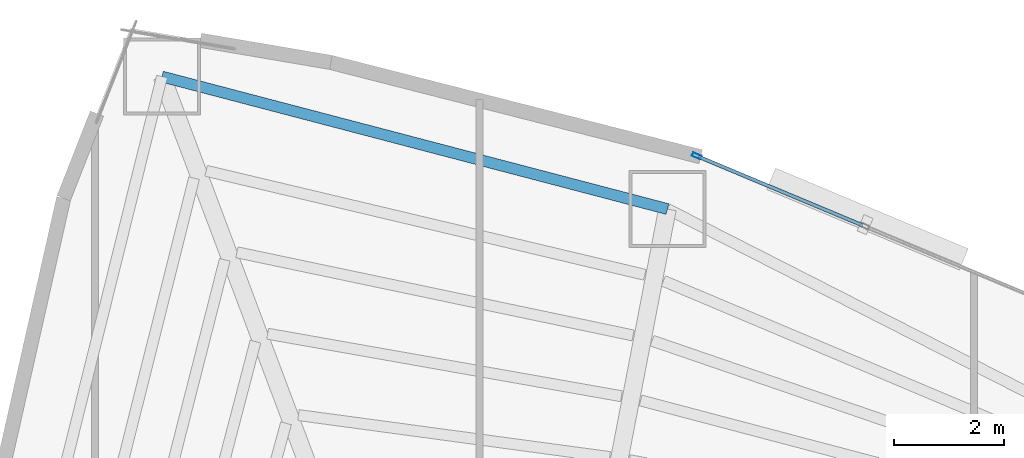
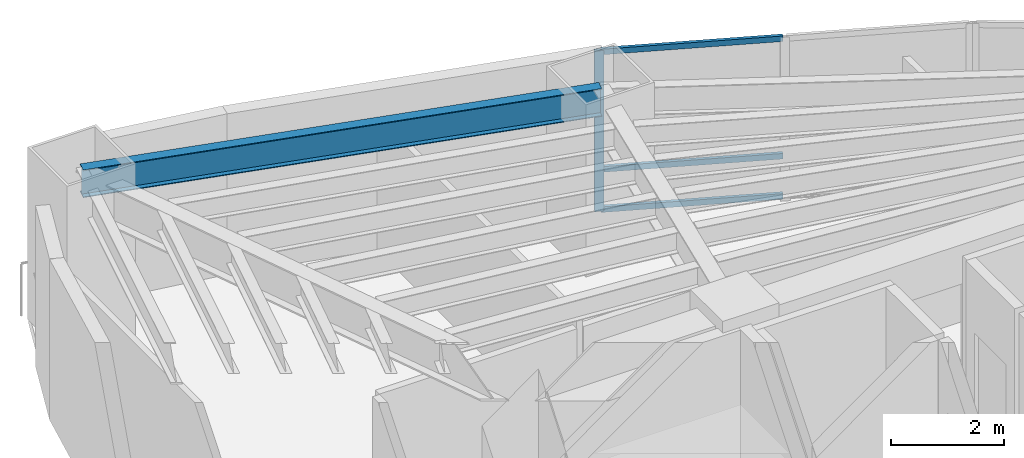
# One storey, part 9 of 17: 4 members, 1 beam, 1 element without a shape of its own.
"""IFC4 building model written with IfcOpenShell, lengths in metres."""

from ifc_helpers import new_model, si_unit, direction, frame, origin, origin_2d, place, context, subcontext, project, spatial, hollow_rectangle, i_section, extrude, material, layer, layer_set, material_profile, profile_set, type_object, element, aggregate, save


model = new_model("IFC4")

# Units and contexts
model_context = context("Model", 3, precision=1e-05, world=origin(), true_north=direction((0.0, 1.0)))
body_context = subcontext(model_context, "Body", "Model", "MODEL_VIEW")
ifc_project = project(units=[si_unit("LENGTHUNIT", "METRE"), si_unit("AREAUNIT", "SQUARE_METRE"), si_unit("VOLUMEUNIT", "CUBIC_METRE"), si_unit("PLANEANGLEUNIT", "RADIAN"), si_unit("MASSUNIT", "GRAM", prefix="KILO")], contexts=[model_context])

# Site, building, storey
site_placement = place(None, origin())
site = spatial("IfcSite", under=ifc_project, at=site_placement, CompositionType="ELEMENT")
building_placement = place(site_placement, origin())
building = spatial("IfcBuilding", under=site, at=building_placement, Name="Menara Vayukalpa", CompositionType="ELEMENT")
storey_placement = place(building_placement, frame((0.0, 0.0, 46.199951171875)))
storey = spatial("IfcBuildingStorey", under=building, at=storey_placement, Name="L10", CompositionType="ELEMENT", Elevation=46.199951171875)

# Beam
ifc_material_1 = material(Name="Steel S355", Category="steel")
ifc_material_profile_1 = material_profile(ifc_material_1, i_section(OverallWidth=0.199951171875, OverallDepth=0.60009765625, WebThickness=0.010986328125, FlangeThickness=0.01708984375, at=origin_2d()), Name="WF 600x200x11x17")
ifc_profile_set_1 = profile_set([ifc_material_profile_1], Name="Steel S355")
beam_type = type_object("IfcBeamType", Name="BM-SP1", PredefinedType="SPANDREL", material=ifc_profile_set_1)
beam_placement = place(storey_placement, frame((23.41943359375, 33.9228515625, 3.170166015625), z_axis=(-0.967331024421, 0.253516644802, 0.0), x_axis=(-0.253516644802, -0.967331024421, 0.0)))
element("IfcBeam", 1, at=beam_placement, inside=storey, type_object=beam_type, Name="L10 Perimeter Spandrel Beam SP03", PredefinedType="SPANDREL", context=body_context, shape_type="SweptSolid", body=[
    extrude(i_section(OverallWidth=0.199951171875, OverallDepth=0.60009765625, WebThickness=0.010986328125, FlangeThickness=0.01708984375, at=origin_2d()), origin(), (0.0, 0.0, 1.0), 9.5126953125),
])

# Curtain wall, members
ifc_material_2 = material(Name="Anodised Terracotta Aluminium Alloy 6063-T6", Category="masonry")
ifc_layer = layer(ifc_material_2, 0.1650390625)
ifc_layer_set = layer_set([ifc_layer], Name="Anodised Terracotta Aluminium Alloy 6063-T6")
curtain_wall_type = type_object("IfcCurtainWallType", Name="CW-CW2", PredefinedType="USERDEFINED", material=ifc_layer_set)
curtain_wall_placement = place(storey_placement, origin())
curtain_wall = element("IfcCurtainWall", 2, at=curtain_wall_placement, inside=storey, type_object=curtain_wall_type, Name="L10 Low Rise Terracotta Ribbon Curtain Wall CW2 05", ObjectType="UNITISED", PredefinedType="USERDEFINED")
ifc_material_3 = material(Name="Anodised Terracotta Aluminium Alloy 6063-T6", Category="masonry")
ifc_material_profile_2 = material_profile(ifc_material_3, hollow_rectangle(XDim=0.070068359375, YDim=0.1650390625, WallThickness=0.00390625, at=origin_2d()), Name="ALU 70x165x4")
ifc_profile_set_2 = profile_set([ifc_material_profile_2], Name="Anodised Terracotta Aluminium Alloy 6063-T6")
member_type_1 = type_object("IfcMemberType", Name="CWM-CW2", PredefinedType="MULLION", material=ifc_profile_set_2)
member_1_placement = place(storey_placement, frame((23.950927734375, 34.889404296875, 0.0), z_axis=(0.0, 0.0, 1.0), x_axis=(-0.385895120445, -0.922542658101, 0.0)))
member_1 = element("IfcMember", 3, at=member_1_placement, type_object=member_type_1, Name="CW2 mullion 3", PredefinedType="MULLION", context=body_context, shape_type="SweptSolid", body=[
    extrude(hollow_rectangle(XDim=0.070068359375, YDim=0.1650390625, WallThickness=0.00390625, at=origin_2d()), origin(), (0.0, 0.0, 1.0), 3.469970703125),
])
ifc_material_4 = material(Name="Anodised Terracotta Aluminium Alloy 6063-T6", Category="masonry")
ifc_material_profile_3 = material_profile(ifc_material_4, hollow_rectangle(XDim=0.06494140625, YDim=0.1201171875, WallThickness=0.00341796875, at=origin_2d()), Name="ALU 65x120x3.5")
ifc_profile_set_3 = profile_set([ifc_material_profile_3], Name="Anodised Terracotta Aluminium Alloy 6063-T6")
member_type_2 = type_object("IfcMemberType", Name="CWT-CW2", PredefinedType="USERDEFINED", material=ifc_profile_set_3)
member_2_placement = place(storey_placement, frame((26.974609375, 33.624755859375, 0.032470703125), z_axis=(-0.922552588381, 0.385871379699, 0.0), x_axis=(-0.385871379699, -0.922552588381, 0.0)))
member_2 = element("IfcMember", 4, at=member_2_placement, type_object=member_type_2, Name="CW2 transom 2.1", ObjectType="TRANSOM", PredefinedType="USERDEFINED", context=body_context, shape_type="SweptSolid", body=[
    extrude(hollow_rectangle(XDim=0.06494140625, YDim=0.1201171875, WallThickness=0.00341796875, at=origin_2d()), origin(), (0.0, 0.0, 1.0), 3.24267578125),
])
member_3_placement = place(storey_placement, frame((26.974609375, 33.624755859375, 0.900146484375), z_axis=(-0.922552588381, 0.385871379699, 0.0), x_axis=(-0.385871379699, -0.922552588381, 0.0)))
member_3 = element("IfcMember", 5, at=member_3_placement, type_object=member_type_2, Name="CW2 transom 2.2", ObjectType="TRANSOM", PredefinedType="USERDEFINED", context=body_context, shape_type="SweptSolid", body=[
    extrude(hollow_rectangle(XDim=0.06494140625, YDim=0.1201171875, WallThickness=0.00341796875, at=origin_2d()), origin(), (0.0, 0.0, 1.0), 3.24267578125),
])
member_4_placement = place(storey_placement, frame((26.974609375, 33.624755859375, 3.4375), z_axis=(-0.922552588381, 0.385871379699, 0.0), x_axis=(-0.385871379699, -0.922552588381, 0.0)))
member_4 = element("IfcMember", 6, at=member_4_placement, type_object=member_type_2, Name="CW2 transom 2.3", ObjectType="TRANSOM", PredefinedType="USERDEFINED", context=body_context, shape_type="SweptSolid", body=[
    extrude(hollow_rectangle(XDim=0.06494140625, YDim=0.1201171875, WallThickness=0.00341796875, at=origin_2d()), origin(), (0.0, 0.0, 1.0), 3.24267578125),
])
aggregate(curtain_wall, [member_1, member_2, member_3, member_4])

save(model, "model.ifc")
